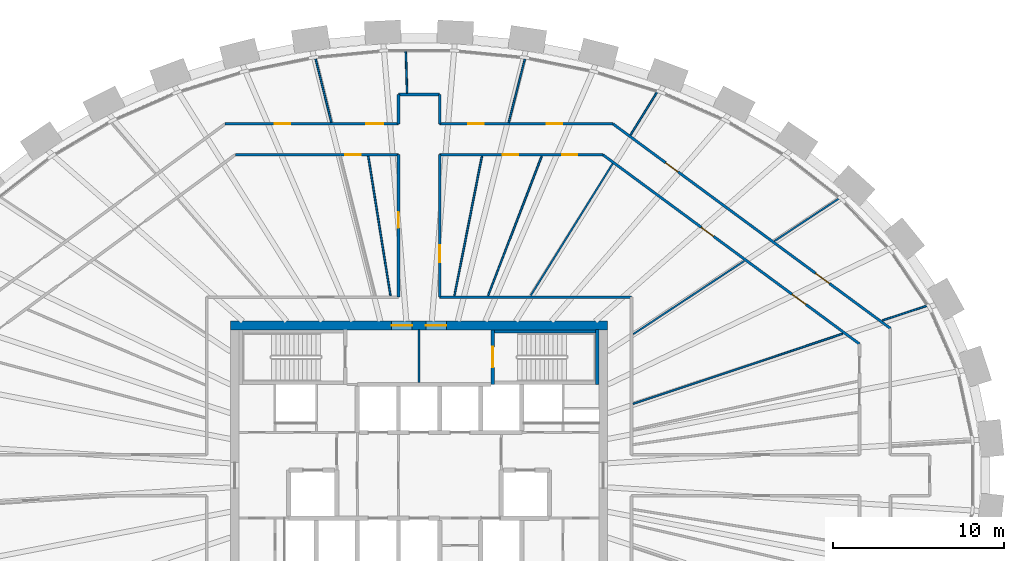
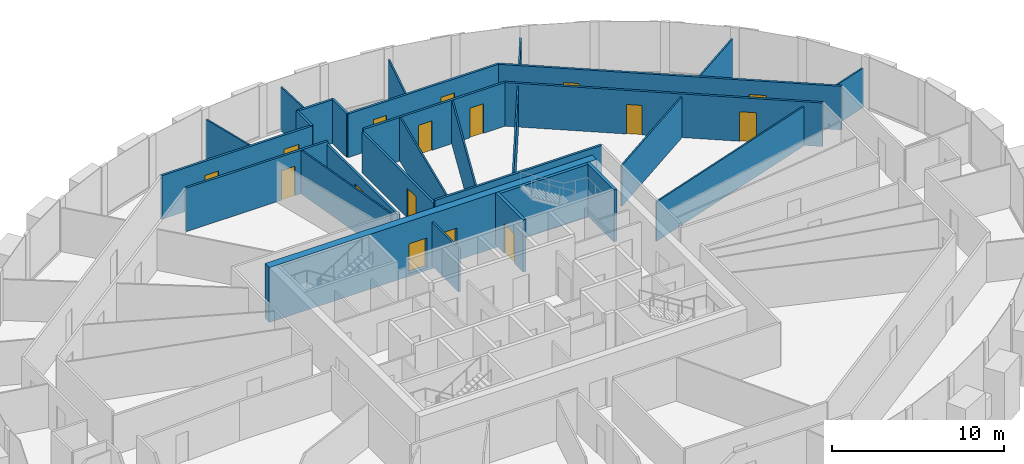
# One storey, part 10 of 12: 29 walls, 16 doors, 16 openings.
"""IFC4 building model written with IfcOpenShell, lengths in metres."""

from ifc_helpers import new_model, si_unit, direction, frame, frame_2d, origin, place, context, subcontext, project, spatial, rectangle, extrude, source, transform, mapped, material, layer, layer_set, type_object, element, fill, save


model = new_model("IFC4")

# Units and contexts
model_context = context("Model", 3, precision=1e-05, world=origin(), true_north=direction((0.0, 1.0)))
body_context = subcontext(model_context, "Body", "Model", "MODEL_VIEW")
ifc_project = project(units=[si_unit("LENGTHUNIT", "METRE"), si_unit("AREAUNIT", "SQUARE_METRE"), si_unit("VOLUMEUNIT", "CUBIC_METRE"), si_unit("PLANEANGLEUNIT", "RADIAN"), si_unit("MASSUNIT", "GRAM", prefix="KILO")], contexts=[model_context])

# Site, building, storey
site_placement = place(None, origin())
site = spatial("IfcSite", under=ifc_project, at=site_placement, CompositionType="ELEMENT")
building_placement = place(site_placement, origin())
building = spatial("IfcBuilding", under=site, at=building_placement, Name="Embergate Tower", CompositionType="ELEMENT")
storey_placement = place(building_placement, frame((0.0, 0.0, 246.10009765625)))
storey = spatial("IfcBuildingStorey", under=building, at=storey_placement, Name="L56", CompositionType="ELEMENT", Elevation=246.10009765625)

# Wall, openings, doors
ifc_material_1 = material(Name="Concrete C50", Category="concrete")
ifc_layer_1 = layer(ifc_material_1, 0.5)
ifc_layer_set_1 = layer_set([ifc_layer_1], Name="Concrete C50")
wall_type_1 = type_object("IfcWallType", Name="Core outer wall C50 500", PredefinedType="SHEAR", material=ifc_layer_set_1)
shared_shape_1 = source(origin(), body_context, "Body", "SweptSolid", [
    extrude(rectangle(XDim=22.0, YDim=0.5, at=frame_2d((11.0, 0.0))), origin(), (0.0, 0.0, 1.0), 3.900146484375),
])
wall_1_placement = place(storey_placement, frame((-11.0, 8.75, -0.2001953125), z_axis=(0.0, 0.0, 1.0), x_axis=(1.0, 0.0, 0.0)))
wall_1 = element("IfcWall", 1, at=wall_1_placement, inside=storey, type_object=wall_type_1, Name="CW-L56-N", PredefinedType="SHEAR", context=body_context, shape_type="MappedRepresentation", body=[
    mapped(shared_shape_1, transform((0.0, 0.0, 0.0))),
])
shared_shape_2 = source(origin(), body_context, "Body", "SweptSolid", [
    extrude(rectangle(XDim=1.199951171875, YDim=2.10009765625, at=frame_2d((0.60009765625, 1.050048828125))), frame((0.0, 0.260009765625, 0.0), z_axis=(0.0, -1.0, 0.0), x_axis=(1.0, 0.0, 0.0)), (0.0, 0.0, 1.0), 0.52001953125),
])
opening_1_placement = place(wall_1_placement, frame((9.39990234375, 0.0, 0.199951171875)))
opening_1 = element("IfcOpeningElement", 2, at=opening_1_placement, cuts=wall_1, Name="Opening IF-1", PredefinedType="OPENING", context=body_context, shape_type="MappedRepresentation", body=[
    mapped(shared_shape_2, transform((0.0, 0.0, 0.0))),
])
opening_2_placement = place(wall_1_placement, frame((11.39990234375, 0.0, 0.199951171875)))
opening_2 = element("IfcOpeningElement", 3, at=opening_2_placement, cuts=wall_1, Name="Opening IF-1", PredefinedType="OPENING", context=body_context, shape_type="MappedRepresentation", body=[
    mapped(shared_shape_2, transform((0.0, 0.0, 0.0))),
])
ifc_material_2 = material(Name="Escape fire door 1200")
door_type_1 = type_object("IfcDoorType", Name="Escape fire door 1200", OperationType="SINGLE_SWING_LEFT", PredefinedType="DOOR", material=ifc_material_2)
shared_shape_3 = source(origin(), body_context, "Body", "SweptSolid", [
    extrude(rectangle(XDim=1.199951171875, YDim=2.10009765625, at=frame_2d((0.60009765625, 1.050048828125))), frame((0.0, 0.02490234375, 0.0), z_axis=(0.0, -1.0, 0.0), x_axis=(1.0, 0.0, 0.0)), (0.0, 0.0, 1.0), 0.050048828125),
])
door_1_placement = place(opening_1_placement, origin())
door_1 = element("IfcDoor", 4, at=door_1_placement, inside=storey, type_object=door_type_1, Name="IF-1 door", OperationType="SINGLE_SWING_LEFT", OverallHeight=2.10009765625, OverallWidth=1.199951171875, PredefinedType="DOOR", context=body_context, shape_type="MappedRepresentation", body=[
    mapped(shared_shape_3, transform((0.0, 0.0, 0.0))),
])
fill(opening_1, door_1)
door_2_placement = place(opening_2_placement, origin())
door_2 = element("IfcDoor", 5, at=door_2_placement, inside=storey, type_object=door_type_1, Name="IF-1 door", OperationType="SINGLE_SWING_RIGHT", OverallHeight=2.10009765625, OverallWidth=1.199951171875, PredefinedType="DOOR", context=body_context, shape_type="MappedRepresentation", body=[
    mapped(shared_shape_3, transform((0.0, 0.0, 0.0))),
])
fill(opening_2, door_2)

# Wall, opening, door
ifc_layer_2 = layer(ifc_material_1, 0.199951171875)
ifc_layer_set_2 = layer_set([ifc_layer_2], Name="Concrete C50")
wall_type_2 = type_object("IfcWallType", Name="Stair enclosure wall reinforced concrete 250", PredefinedType="SHEAR", material=ifc_layer_set_2)
shared_shape_4 = source(origin(), body_context, "Body", "SweptSolid", [
    extrude(rectangle(XDim=3.199951171875, YDim=0.199951171875, at=frame_2d((1.60009765625, 0.0))), origin(), (0.0, 0.0, 1.0), 3.699951171875),
])
wall_2_placement = place(storey_placement, frame((4.300048828125, 8.5, 0.0), z_axis=(0.0, 0.0, 1.0), x_axis=(0.0, -1.0, 0.0)))
wall_2 = element("IfcWall", 6, at=wall_2_placement, inside=storey, type_object=wall_type_2, Name="SE-1 wall", PredefinedType="SHEAR", context=body_context, shape_type="MappedRepresentation", body=[
    mapped(shared_shape_4, transform((0.0, 0.0, 0.0))),
])
shared_shape_5 = source(origin(), body_context, "Body", "SweptSolid", [
    extrude(rectangle(XDim=1.199951171875, YDim=2.10009765625, at=frame_2d((0.60009765625, 1.050048828125))), frame((0.0, 0.10986328125, 0.0), z_axis=(0.0, -1.0, 0.0), x_axis=(1.0, 0.0, 0.0)), (0.0, 0.0, 1.0), 0.219970703125),
])
opening_3_placement = place(wall_2_placement, frame((1.0, 0.0, 0.0)))
opening_3 = element("IfcOpeningElement", 7, at=opening_3_placement, cuts=wall_2, Name="Opening IF-2", PredefinedType="OPENING", context=body_context, shape_type="MappedRepresentation", body=[
    mapped(shared_shape_5, transform((0.0, 0.0, 0.0))),
])
ifc_material_3 = material(Name="Stair enclosure door 1200")
door_type_2 = type_object("IfcDoorType", Name="Stair enclosure door 1200", OperationType="SINGLE_SWING_LEFT", PredefinedType="DOOR", material=ifc_material_3)
door_3_placement = place(opening_3_placement, origin())
door_3 = element("IfcDoor", 8, at=door_3_placement, inside=storey, type_object=door_type_2, Name="IF-2 door", OperationType="SINGLE_SWING_RIGHT", OverallHeight=2.10009765625, OverallWidth=1.199951171875, PredefinedType="DOOR", context=body_context, shape_type="MappedRepresentation", body=[
    mapped(shared_shape_3, transform((0.0, 0.0, 0.0))),
])
fill(opening_3, door_3)

# Walls
wall_3_placement = place(storey_placement, frame((10.39990234375, 5.300048828125, 0.0), z_axis=(0.0, 0.0, 1.0), x_axis=(0.0, 1.0, 0.0)))
element("IfcWall", 9, at=wall_3_placement, inside=storey, type_object=wall_type_2, Name="SE-1 wall", PredefinedType="SHEAR", context=body_context, shape_type="MappedRepresentation", body=[
    mapped(shared_shape_4, transform((0.0, 0.0, 0.0))),
])
ifc_material_4 = material(Name="Corridor wall dry-lined 150")
ifc_layer_3 = layer(ifc_material_4, 0.14990234375)
ifc_layer_set_3 = layer_set([ifc_layer_3], Name="Corridor wall dry-lined 150")
wall_type_3 = type_object("IfcWallType", Name="Corridor wall dry-lined 150", PredefinedType="PARTITIONING", material=ifc_layer_set_3)
shared_shape_6 = source(origin(), body_context, "Body", "SweptSolid", [
    extrude(rectangle(XDim=2.39990234375, YDim=0.14990234375, at=frame_2d((1.199951171875, 0.0))), origin(), (0.0, 0.0, 1.0), 3.099853515625),
])
wall_4_placement = place(storey_placement, frame((-1.199951171875, 22.23388671875, 0.0), z_axis=(0.0, 0.0, 1.0), x_axis=(1.0, 0.0, 0.0)))
element("IfcWall", 10, at=wall_4_placement, inside=storey, type_object=wall_type_3, Name="IP-2 wall", PredefinedType="PARTITIONING", context=body_context, shape_type="MappedRepresentation", body=[
    mapped(shared_shape_6, transform((0.0, 0.0, 0.0))),
])

# Wall, openings, doors
ifc_material_5 = material(Name="Corridor wall dry-lined 150 wet")
ifc_layer_4 = layer(ifc_material_5, 0.14990234375)
ifc_layer_set_4 = layer_set([ifc_layer_4], Name="Corridor wall dry-lined 150 wet")
wall_type_4 = type_object("IfcWallType", Name="Corridor wall dry-lined 150 wet", PredefinedType="PLUMBINGWALL", material=ifc_layer_set_4)
shared_shape_7 = source(origin(), body_context, "Body", "SweptSolid", [
    extrude(rectangle(XDim=20.116455078125, YDim=0.14990234375, at=frame_2d((10.05810546875, 0.0))), origin(), (0.0, 0.0, 1.0), 3.099853515625),
])
wall_5_placement = place(storey_placement, frame((11.319091796875, 20.51806640625, 0.0), z_axis=(0.0, 0.0, 1.0), x_axis=(0.804910001979, -0.593396906559, 0.0)))
wall_5 = element("IfcWall", 11, at=wall_5_placement, inside=storey, type_object=wall_type_4, Name="IP-2 wall", PredefinedType="PLUMBINGWALL", context=body_context, shape_type="MappedRepresentation", body=[
    mapped(shared_shape_7, transform((0.0, 0.0, 0.0))),
])
shared_shape_8 = source(origin(), body_context, "Body", "SweptSolid", [
    extrude(rectangle(XDim=1.0, YDim=2.10009765625, at=frame_2d((0.5, 1.050048828125))), frame((0.0, 0.0849609375, 0.0), z_axis=(0.0, -1.0, 0.0), x_axis=(1.0, 0.0, 0.0)), (0.0, 0.0, 1.0), 0.169921875),
])
opening_4_placement = place(wall_5_placement, frame((14.701904296875, 0.0, 0.0)))
opening_4 = element("IfcOpeningElement", 12, at=opening_4_placement, cuts=wall_5, Name="Opening ID-2", PredefinedType="OPENING", context=body_context, shape_type="MappedRepresentation", body=[
    mapped(shared_shape_8, transform((0.0, 0.0, 0.0))),
])
shared_shape_9 = source(origin(), body_context, "Body", "SweptSolid", [
    extrude(rectangle(XDim=0.89990234375, YDim=2.10009765625, at=frame_2d((0.449951171875, 1.050048828125))), frame((0.0, 0.0849609375, 0.0), z_axis=(0.0, -1.0, 0.0), x_axis=(1.0, 0.0, 0.0)), (0.0, 0.0, 1.0), 0.169921875),
])
opening_5_placement = place(wall_5_placement, frame((3.82666015625, 0.0, 0.0)))
opening_5 = element("IfcOpeningElement", 13, at=opening_5_placement, cuts=wall_5, Name="Opening IF-1c", PredefinedType="OPENING", context=body_context, shape_type="MappedRepresentation", body=[
    mapped(shared_shape_9, transform((0.0, 0.0, 0.0))),
])
ifc_material_6 = material(Name="Escape fire door 900")
door_type_3 = type_object("IfcDoorType", Name="Escape fire door 900", OperationType="SINGLE_SWING_LEFT", PredefinedType="DOOR", material=ifc_material_6)
shared_shape_10 = source(origin(), body_context, "Body", "SweptSolid", [
    extrude(rectangle(XDim=0.89990234375, YDim=2.10009765625, at=frame_2d((0.449951171875, 1.050048828125))), frame((0.0, 0.02490234375, 0.0), z_axis=(0.0, -1.0, 0.0), x_axis=(1.0, 0.0, 0.0)), (0.0, 0.0, 1.0), 0.050048828125),
])
door_4_placement = place(opening_5_placement, origin())
door_4 = element("IfcDoor", 14, at=door_4_placement, inside=storey, type_object=door_type_3, Name="IF-1 door", OperationType="SINGLE_SWING_RIGHT", OverallHeight=2.10009765625, OverallWidth=0.89990234375, PredefinedType="DOOR", context=body_context, shape_type="MappedRepresentation", body=[
    mapped(shared_shape_10, transform((0.0, 0.0, 0.0))),
])
fill(opening_5, door_4)
ifc_material_7 = material(Name="Interior door 1000")
door_type_4 = type_object("IfcDoorType", Name="Interior door 1000", OperationType="SINGLE_SWING_LEFT", PredefinedType="DOOR", material=ifc_material_7)
shared_shape_11 = source(origin(), body_context, "Body", "SweptSolid", [
    extrude(rectangle(XDim=1.0, YDim=2.10009765625, at=frame_2d((0.5, 1.050048828125))), frame((0.0, 0.02490234375, 0.0), z_axis=(0.0, -1.0, 0.0), x_axis=(1.0, 0.0, 0.0)), (0.0, 0.0, 1.0), 0.050048828125),
])
door_5_placement = place(opening_4_placement, origin())
door_5 = element("IfcDoor", 15, at=door_5_placement, inside=storey, type_object=door_type_4, Name="ID-2 door", OperationType="SINGLE_SWING_RIGHT", OverallHeight=2.10009765625, OverallWidth=1.0, PredefinedType="DOOR", context=body_context, shape_type="MappedRepresentation", body=[
    mapped(shared_shape_11, transform((0.0, 0.0, 0.0))),
])
fill(opening_4, door_5)

shared_shape_12 = source(origin(), body_context, "Body", "SweptSolid", [
    extrude(rectangle(XDim=18.615966796875, YDim=0.14990234375, at=frame_2d((9.30810546875, 0.0))), origin(), (0.0, 0.0, 1.0), 3.099853515625),
])
wall_6_placement = place(storey_placement, frame((10.72705078125, 18.718017578125, 0.0), z_axis=(0.0, 0.0, 1.0), x_axis=(0.804892640185, -0.593420456149, 0.0)))
wall_6 = element("IfcWall", 16, at=wall_6_placement, inside=storey, type_object=wall_type_4, Name="IP-2 wall", PredefinedType="PLUMBINGWALL", context=body_context, shape_type="MappedRepresentation", body=[
    mapped(shared_shape_12, transform((0.0, 0.0, 0.0))),
])
opening_6_placement = place(wall_6_placement, frame((13.73486328125, 0.0, 0.0)))
opening_6 = element("IfcOpeningElement", 17, at=opening_6_placement, cuts=wall_6, Name="Opening ID-2", PredefinedType="OPENING", context=body_context, shape_type="MappedRepresentation", body=[
    mapped(shared_shape_8, transform((0.0, 0.0, 0.0))),
])
opening_7_placement = place(wall_6_placement, frame((7.1396484375, 0.0, 0.0)))
opening_7 = element("IfcOpeningElement", 18, at=opening_7_placement, cuts=wall_6, Name="Opening IF-1c", PredefinedType="OPENING", context=body_context, shape_type="MappedRepresentation", body=[
    mapped(shared_shape_9, transform((0.0, 0.0, 0.0))),
])
door_6_placement = place(opening_7_placement, origin())
door_6 = element("IfcDoor", 19, at=door_6_placement, inside=storey, type_object=door_type_3, Name="IF-1 door", OperationType="SINGLE_SWING_LEFT", OverallHeight=2.10009765625, OverallWidth=0.89990234375, PredefinedType="DOOR", context=body_context, shape_type="MappedRepresentation", body=[
    mapped(shared_shape_10, transform((0.0, 0.0, 0.0))),
])
fill(opening_7, door_6)
door_7_placement = place(opening_6_placement, origin())
door_7 = element("IfcDoor", 20, at=door_7_placement, inside=storey, type_object=door_type_4, Name="ID-2 door", OperationType="SINGLE_SWING_LEFT", OverallHeight=2.10009765625, OverallWidth=1.0, PredefinedType="DOOR", context=body_context, shape_type="MappedRepresentation", body=[
    mapped(shared_shape_11, transform((0.0, 0.0, 0.0))),
])
fill(opening_6, door_7)

# Wall
shared_shape_13 = source(origin(), body_context, "Body", "SweptSolid", [
    extrude(rectangle(XDim=11.199951171875, YDim=0.14990234375, at=frame_2d((5.60009765625, 0.0))), origin(), (0.0, 0.0, 1.0), 3.099853515625),
])
wall_7_placement = place(storey_placement, frame((12.39990234375, 10.39990234375, 0.0), z_axis=(0.0, 0.0, 1.0), x_axis=(-1.0, 0.0, 0.0)))
element("IfcWall", 21, at=wall_7_placement, inside=storey, type_object=wall_type_3, Name="IP-2 wall", PredefinedType="PARTITIONING", context=body_context, shape_type="MappedRepresentation", body=[
    mapped(shared_shape_13, transform((0.0, 0.0, 0.0))),
])

# Wall, openings, doors
shared_shape_14 = source(origin(), body_context, "Body", "SweptSolid", [
    extrude(rectangle(XDim=10.119140625, YDim=0.14990234375, at=frame_2d((5.0595703125, 0.0))), origin(), (0.0, 0.0, 1.0), 3.099853515625),
])
wall_8_placement = place(storey_placement, frame((1.199951171875, 20.51806640625, 0.0), z_axis=(0.0, 0.0, 1.0), x_axis=(1.0, 0.0, 0.0)))
wall_8 = element("IfcWall", 22, at=wall_8_placement, inside=storey, type_object=wall_type_3, Name="IP-2 wall", PredefinedType="PARTITIONING", context=body_context, shape_type="MappedRepresentation", body=[
    mapped(shared_shape_14, transform((0.0, 0.0, 0.0))),
])
opening_8_placement = place(wall_8_placement, frame((6.248046875, 0.0, 0.0)))
opening_8 = element("IfcOpeningElement", 23, at=opening_8_placement, cuts=wall_8, Name="Opening IF-1c", PredefinedType="OPENING", context=body_context, shape_type="MappedRepresentation", body=[
    mapped(shared_shape_9, transform((0.0, 0.0, 0.0))),
])
opening_9_placement = place(wall_8_placement, frame((1.68310546875, 0.0, 0.0)))
opening_9 = element("IfcOpeningElement", 24, at=opening_9_placement, cuts=wall_8, Name="Opening IF-1c", PredefinedType="OPENING", context=body_context, shape_type="MappedRepresentation", body=[
    mapped(shared_shape_9, transform((0.0, 0.0, 0.0))),
])
door_8_placement = place(opening_8_placement, origin())
door_8 = element("IfcDoor", 25, at=door_8_placement, inside=storey, type_object=door_type_3, Name="IF-1 door", OperationType="SINGLE_SWING_RIGHT", OverallHeight=2.10009765625, OverallWidth=0.89990234375, PredefinedType="DOOR", context=body_context, shape_type="MappedRepresentation", body=[
    mapped(shared_shape_10, transform((0.0, 0.0, 0.0))),
])
fill(opening_8, door_8)
door_9_placement = place(opening_9_placement, origin())
door_9 = element("IfcDoor", 26, at=door_9_placement, inside=storey, type_object=door_type_3, Name="IF-1 door", OperationType="SINGLE_SWING_RIGHT", OverallHeight=2.10009765625, OverallWidth=0.89990234375, PredefinedType="DOOR", context=body_context, shape_type="MappedRepresentation", body=[
    mapped(shared_shape_10, transform((0.0, 0.0, 0.0))),
])
fill(opening_9, door_9)

wall_9_placement = place(storey_placement, frame((-11.319091796875, 20.51806640625, 0.0), z_axis=(0.0, 0.0, 1.0), x_axis=(1.0, 0.0, 0.0)))
wall_9 = element("IfcWall", 27, at=wall_9_placement, inside=storey, type_object=wall_type_3, Name="IP-2 wall", PredefinedType="PARTITIONING", context=body_context, shape_type="MappedRepresentation", body=[
    mapped(shared_shape_14, transform((0.0, 0.0, 0.0))),
])
opening_10_placement = place(wall_9_placement, frame((8.2216796875, 0.0, 0.0)))
opening_10 = element("IfcOpeningElement", 28, at=opening_10_placement, cuts=wall_9, Name="Opening ID-2", PredefinedType="OPENING", context=body_context, shape_type="MappedRepresentation", body=[
    mapped(shared_shape_8, transform((0.0, 0.0, 0.0))),
])
opening_11_placement = place(wall_9_placement, frame((2.897705078125, 0.0, 0.0)))
opening_11 = element("IfcOpeningElement", 29, at=opening_11_placement, cuts=wall_9, Name="Opening IF-1c", PredefinedType="OPENING", context=body_context, shape_type="MappedRepresentation", body=[
    mapped(shared_shape_9, transform((0.0, 0.0, 0.0))),
])
door_10_placement = place(opening_11_placement, origin())
door_10 = element("IfcDoor", 30, at=door_10_placement, inside=storey, type_object=door_type_3, Name="IF-1 door", OperationType="SINGLE_SWING_RIGHT", OverallHeight=2.10009765625, OverallWidth=0.89990234375, PredefinedType="DOOR", context=body_context, shape_type="MappedRepresentation", body=[
    mapped(shared_shape_10, transform((0.0, 0.0, 0.0))),
])
fill(opening_11, door_10)
door_11_placement = place(opening_10_placement, origin())
door_11 = element("IfcDoor", 31, at=door_11_placement, inside=storey, type_object=door_type_4, Name="ID-2 door", OperationType="SINGLE_SWING_RIGHT", OverallHeight=2.10009765625, OverallWidth=1.0, PredefinedType="DOOR", context=body_context, shape_type="MappedRepresentation", body=[
    mapped(shared_shape_11, transform((0.0, 0.0, 0.0))),
])
fill(opening_10, door_11)

# Walls
shared_shape_15 = source(origin(), body_context, "Body", "SweptSolid", [
    extrude(rectangle(XDim=1.7158203125, YDim=0.14990234375, at=frame_2d((0.85791015625, 0.0))), origin(), (0.0, 0.0, 1.0), 3.099853515625),
])
for number, where, z_axis, x_axis, name in (
    (32, (1.199951171875, 22.23388671875, 0.0), (0.0, 0.0, 1.0), (0.0, -1.0, 0.0), "IP-2 wall"),
    (33, (-1.199951171875, 20.51806640625, 0.0), (0.0, 0.0, 1.0), (0.0, 1.0, 0.0), "IP-2 wall"),
):
    element("IfcWall", number, at=place(storey_placement, frame(where, z_axis=z_axis, x_axis=x_axis)), inside=storey, type_object=wall_type_3, Name=name, PredefinedType="PARTITIONING", context=body_context, shape_type="MappedRepresentation", body=[
        mapped(shared_shape_15, transform((0.0, 0.0, 0.0))),
    ])

# Wall, opening, door
shared_shape_16 = source(origin(), body_context, "Body", "SweptSolid", [
    extrude(rectangle(XDim=8.318115234375, YDim=0.14990234375, at=frame_2d((4.1591796875, 0.0))), origin(), (0.0, 0.0, 1.0), 2.89990234375),
])
wall_10_placement = place(storey_placement, frame((-1.199951171875, 10.39990234375, 0.0), z_axis=(0.0, 0.0, 1.0), x_axis=(0.0, 1.0, 0.0)))
wall_10 = element("IfcWall", 34, at=wall_10_placement, inside=storey, type_object=wall_type_3, Name="IP-2 wall", PredefinedType="PARTITIONING", context=body_context, shape_type="MappedRepresentation", body=[
    mapped(shared_shape_16, transform((0.0, 0.0, 0.0))),
])
opening_12_placement = place(wall_10_placement, frame((4.050048828125, 0.0, 0.0)))
opening_12 = element("IfcOpeningElement", 35, at=opening_12_placement, cuts=wall_10, Name="Opening IF-1c", PredefinedType="OPENING", context=body_context, shape_type="MappedRepresentation", body=[
    mapped(shared_shape_9, transform((0.0, 0.0, 0.0))),
])
door_12_placement = place(opening_12_placement, origin())
door_12 = element("IfcDoor", 36, at=door_12_placement, inside=storey, type_object=door_type_3, Name="IF-1 door", OperationType="SINGLE_SWING_RIGHT", OverallHeight=2.10009765625, OverallWidth=0.89990234375, PredefinedType="DOOR", context=body_context, shape_type="MappedRepresentation", body=[
    mapped(shared_shape_10, transform((0.0, 0.0, 0.0))),
])
fill(opening_12, door_12)

wall_11_placement = place(storey_placement, frame((1.199951171875, 18.718017578125, 0.0), z_axis=(0.0, 0.0, 1.0), x_axis=(0.0, -1.0, 0.0)))
wall_11 = element("IfcWall", 37, at=wall_11_placement, inside=storey, type_object=wall_type_3, Name="IP-2 wall", PredefinedType="PARTITIONING", context=body_context, shape_type="MappedRepresentation", body=[
    mapped(shared_shape_16, transform((0.0, 0.0, 0.0))),
])
opening_13_placement = place(wall_11_placement, frame((5.270751953125, 0.0, 0.0)))
opening_13 = element("IfcOpeningElement", 38, at=opening_13_placement, cuts=wall_11, Name="Opening ID-2", PredefinedType="OPENING", context=body_context, shape_type="MappedRepresentation", body=[
    mapped(shared_shape_8, transform((0.0, 0.0, 0.0))),
])
door_13_placement = place(opening_13_placement, origin())
door_13 = element("IfcDoor", 39, at=door_13_placement, inside=storey, type_object=door_type_4, Name="ID-2 door", OperationType="SINGLE_SWING_LEFT", OverallHeight=2.10009765625, OverallWidth=1.0, PredefinedType="DOOR", context=body_context, shape_type="MappedRepresentation", body=[
    mapped(shared_shape_11, transform((0.0, 0.0, 0.0))),
])
fill(opening_13, door_13)

shared_shape_17 = source(origin(), body_context, "Body", "SweptSolid", [
    extrude(rectangle(XDim=9.527099609375, YDim=0.14990234375, at=frame_2d((4.763671875, 0.0))), origin(), (0.0, 0.0, 1.0), 3.099853515625),
])
wall_12_placement = place(storey_placement, frame((-1.199951171875, 18.718017578125, 0.0), z_axis=(0.0, 0.0, 1.0), x_axis=(-1.0, 0.0, 0.0)))
wall_12 = element("IfcWall", 40, at=wall_12_placement, inside=storey, type_object=wall_type_3, Name="IP-2 wall", PredefinedType="PARTITIONING", context=body_context, shape_type="MappedRepresentation", body=[
    mapped(shared_shape_17, transform((0.0, 0.0, 0.0))),
])
opening_14_placement = place(wall_12_placement, frame((2.2060546875, 0.0, 0.0)))
opening_14 = element("IfcOpeningElement", 41, at=opening_14_placement, cuts=wall_12, Name="Opening IF-1c", PredefinedType="OPENING", context=body_context, shape_type="MappedRepresentation", body=[
    mapped(shared_shape_9, transform((0.0, 0.0, 0.0))),
])
door_14_placement = place(opening_14_placement, origin())
door_14 = element("IfcDoor", 42, at=door_14_placement, inside=storey, type_object=door_type_3, Name="IF-1 door", OperationType="SINGLE_SWING_LEFT", OverallHeight=2.10009765625, OverallWidth=0.89990234375, PredefinedType="DOOR", context=body_context, shape_type="MappedRepresentation", body=[
    mapped(shared_shape_10, transform((0.0, 0.0, 0.0))),
])
fill(opening_14, door_14)

# Wall, openings, doors
wall_13_placement = place(storey_placement, frame((1.199951171875, 18.718017578125, 0.0), z_axis=(0.0, 0.0, 1.0), x_axis=(1.0, 0.0, 0.0)))
wall_13 = element("IfcWall", 43, at=wall_13_placement, inside=storey, type_object=wall_type_3, Name="IP-2 wall", PredefinedType="PARTITIONING", context=body_context, shape_type="MappedRepresentation", body=[
    mapped(shared_shape_17, transform((0.0, 0.0, 0.0))),
])
opening_15_placement = place(wall_13_placement, frame((7.14501953125, 0.0, 0.0)))
opening_15 = element("IfcOpeningElement", 44, at=opening_15_placement, cuts=wall_13, Name="Opening IF-1c", PredefinedType="OPENING", context=body_context, shape_type="MappedRepresentation", body=[
    mapped(shared_shape_9, transform((0.0, 0.0, 0.0))),
])
opening_16_placement = place(wall_13_placement, frame((3.69091796875, 0.0, 0.0)))
opening_16 = element("IfcOpeningElement", 45, at=opening_16_placement, cuts=wall_13, Name="Opening IF-1c", PredefinedType="OPENING", context=body_context, shape_type="MappedRepresentation", body=[
    mapped(shared_shape_9, transform((0.0, 0.0, 0.0))),
])
door_15_placement = place(opening_15_placement, origin())
door_15 = element("IfcDoor", 46, at=door_15_placement, inside=storey, type_object=door_type_3, Name="IF-1 door", OperationType="SINGLE_SWING_LEFT", OverallHeight=2.10009765625, OverallWidth=0.89990234375, PredefinedType="DOOR", context=body_context, shape_type="MappedRepresentation", body=[
    mapped(shared_shape_10, transform((0.0, 0.0, 0.0))),
])
fill(opening_15, door_15)
door_16_placement = place(opening_16_placement, origin())
door_16 = element("IfcDoor", 47, at=door_16_placement, inside=storey, type_object=door_type_3, Name="IF-1 door", OperationType="SINGLE_SWING_LEFT", OverallHeight=2.10009765625, OverallWidth=0.89990234375, PredefinedType="DOOR", context=body_context, shape_type="MappedRepresentation", body=[
    mapped(shared_shape_10, transform((0.0, 0.0, 0.0))),
])
fill(opening_16, door_16)

# Walls
ifc_material_8 = material(Name="Partition dry-lined 100 wet")
ifc_layer_5 = layer(ifc_material_8, 0.10009765625)
ifc_layer_set_5 = layer_set([ifc_layer_5], Name="Partition dry-lined 100 wet")
wall_type_5 = type_object("IfcWallType", Name="Partition dry-lined 100 wet", PredefinedType="PLUMBINGWALL", material=ifc_layer_set_5)
shared_shape_18 = source(origin(), body_context, "Body", "SweptSolid", [
    extrude(rectangle(XDim=2.779296875, YDim=0.10009765625, at=frame_2d((1.3896484375, 0.0))), origin(), (0.0, 0.0, 1.0), 2.7998046875),
])
wall_14_placement = place(storey_placement, frame((27.06005859375, 9.0419921875, 0.0), z_axis=(0.0, 0.0, 1.0), x_axis=(0.9484194456, 0.317018225356, 0.0)))
element("IfcWall", 48, at=wall_14_placement, inside=storey, type_object=wall_type_5, Name="IP-1 wall", PredefinedType="PLUMBINGWALL", context=body_context, shape_type="MappedRepresentation", body=[
    mapped(shared_shape_18, transform((0.0, 0.0, 0.0))),
])
shared_shape_19 = source(origin(), body_context, "Body", "SweptSolid", [
    extrude(rectangle(XDim=12.906005859375, YDim=0.10009765625, at=frame_2d((6.453125, 0.0))), origin(), (0.0, 0.0, 1.0), 2.7998046875),
])
wall_15_placement = place(storey_placement, frame((12.490966796875, 4.174072265625, 0.0), z_axis=(0.0, 0.0, 1.0), x_axis=(0.948461740931, 0.316891662859, 0.0)))
element("IfcWall", 49, at=wall_15_placement, inside=storey, type_object=wall_type_5, Name="IP-1 wall", PredefinedType="PLUMBINGWALL", context=body_context, shape_type="MappedRepresentation", body=[
    mapped(shared_shape_19, transform((0.0, 0.0, 0.0))),
])
ifc_material_9 = material(Name="Partition dry-lined 100")
ifc_layer_6 = layer(ifc_material_9, 0.10009765625)
ifc_layer_set_6 = layer_set([ifc_layer_6], Name="Partition dry-lined 100")
wall_type_6 = type_object("IfcWallType", Name="Partition dry-lined 100", PredefinedType="PARTITIONING", material=ifc_layer_set_6)
shared_shape_20 = source(origin(), body_context, "Body", "SweptSolid", [
    extrude(rectangle(XDim=4.563720703125, YDim=0.10009765625, at=frame_2d((2.28173828125, 0.0))), origin(), (0.0, 0.0, 1.0), 2.89990234375),
])
wall_16_placement = place(storey_placement, frame((20.75, 13.678955078125, 0.0), z_axis=(0.0, 0.0, 1.0), x_axis=(0.834878865051, 0.550433720525, 0.0)))
element("IfcWall", 50, at=wall_16_placement, inside=storey, type_object=wall_type_6, Name="IP-1 wall", PredefinedType="PARTITIONING", context=body_context, shape_type="MappedRepresentation", body=[
    mapped(shared_shape_20, transform((0.0, 0.0, 0.0))),
])
shared_shape_21 = source(origin(), body_context, "Body", "SweptSolid", [
    extrude(rectangle(XDim=3.010498046875, YDim=0.10009765625, at=frame_2d((1.50537109375, 0.0))), origin(), (0.0, 0.0, 1.0), 2.89990234375),
])
wall_17_placement = place(storey_placement, frame((12.3349609375, 19.861083984375, 0.0), z_axis=(0.0, 0.0, 1.0), x_axis=(0.52786139666, 0.849330528072, 0.0)))
element("IfcWall", 51, at=wall_17_placement, inside=storey, type_object=wall_type_6, Name="IP-1 wall", PredefinedType="PARTITIONING", context=body_context, shape_type="MappedRepresentation", body=[
    mapped(shared_shape_21, transform((0.0, 0.0, 0.0))),
])
shared_shape_22 = source(origin(), body_context, "Body", "SweptSolid", [
    extrude(rectangle(XDim=7.7646484375, YDim=0.10009765625, at=frame_2d((3.88232421875, 0.0))), origin(), (0.0, 0.0, 1.0), 2.89990234375),
])
wall_18_placement = place(storey_placement, frame((12.501953125, 8.241943359375, 0.0), z_axis=(0.0, 0.0, 1.0), x_axis=(0.834960503085, 0.550309874788, 0.0)))
element("IfcWall", 52, at=wall_18_placement, inside=storey, type_object=wall_type_6, Name="IP-1 wall", PredefinedType="PARTITIONING", context=body_context, shape_type="MappedRepresentation", body=[
    mapped(shared_shape_22, transform((0.0, 0.0, 0.0))),
])
shared_shape_23 = source(origin(), body_context, "Body", "SweptSolid", [
    extrude(rectangle(XDim=9.063232421875, YDim=0.10009765625, at=frame_2d((4.53173828125, 0.0))), origin(), (0.0, 0.0, 1.0), 2.89990234375),
])
wall_19_placement = place(storey_placement, frame((6.52197265625, 10.5009765625, 0.0), z_axis=(0.0, 0.0, 1.0), x_axis=(0.52762636224, 0.849476557575, 0.0)))
element("IfcWall", 53, at=wall_19_placement, inside=storey, type_object=wall_type_6, Name="IP-1 wall", PredefinedType="PARTITIONING", context=body_context, shape_type="MappedRepresentation", body=[
    mapped(shared_shape_23, transform((0.0, 0.0, 0.0))),
])
shared_shape_24 = source(origin(), body_context, "Body", "SweptSolid", [
    extrude(rectangle(XDim=3.889892578125, YDim=0.10009765625, at=frame_2d((1.94482421875, 0.0))), origin(), (0.0, 0.0, 1.0), 2.89990234375),
])
wall_20_placement = place(storey_placement, frame((5.237060546875, 20.60498046875, 0.0), z_axis=(0.0, 0.0, 1.0), x_axis=(0.246284867829, 0.969197484457, 0.0)))
element("IfcWall", 54, at=wall_20_placement, inside=storey, type_object=wall_type_6, Name="IP-1 wall", PredefinedType="PARTITIONING", context=body_context, shape_type="MappedRepresentation", body=[
    mapped(shared_shape_24, transform((0.0, 0.0, 0.0))),
])
shared_shape_25 = source(origin(), body_context, "Body", "SweptSolid", [
    extrude(rectangle(XDim=2.51708984375, YDim=0.10009765625, at=frame_2d((1.258544921875, 0.0))), origin(), (0.0, 0.0, 1.0), 3.099853515625),
])
wall_21_placement = place(storey_placement, frame((-0.697998046875, 22.30908203125, 0.0), z_axis=(0.0, 0.0, 1.0), x_axis=(-0.030941025384, 0.999521211855, 0.0)))
element("IfcWall", 55, at=wall_21_placement, inside=storey, type_object=wall_type_6, Name="IP-1 wall", PredefinedType="PARTITIONING", context=body_context, shape_type="MappedRepresentation", body=[
    mapped(shared_shape_25, transform((0.0, 0.0, 0.0))),
])
shared_shape_26 = source(origin(), body_context, "Body", "SweptSolid", [
    extrude(rectangle(XDim=3.905029296875, YDim=0.10009765625, at=frame_2d((1.95263671875, 0.0))), origin(), (0.0, 0.0, 1.0), 2.89990234375),
])
wall_22_placement = place(storey_placement, frame((-5.116943359375, 20.60498046875, 0.0), z_axis=(0.0, 0.0, 1.0), x_axis=(-0.241005480194, 0.970523754741, 0.0)))
element("IfcWall", 56, at=wall_22_placement, inside=storey, type_object=wall_type_6, Name="IP-1 wall", PredefinedType="PARTITIONING", context=body_context, shape_type="MappedRepresentation", body=[
    mapped(shared_shape_26, transform((0.0, 0.0, 0.0))),
])
shared_shape_27 = source(origin(), body_context, "Body", "SweptSolid", [
    extrude(rectangle(XDim=8.2548828125, YDim=0.10009765625, at=frame_2d((4.12744140625, 0.0))), origin(), (0.0, 0.0, 1.0), 3.099853515625),
])
wall_23_placement = place(storey_placement, frame((-1.66796875, 10.48291015625, 0.0), z_axis=(0.0, 0.0, 1.0), x_axis=(-0.157253374505, 0.98755829003, 0.0)))
element("IfcWall", 57, at=wall_23_placement, inside=storey, type_object=wall_type_6, Name="IP-1 wall", PredefinedType="PARTITIONING", context=body_context, shape_type="MappedRepresentation", body=[
    mapped(shared_shape_27, transform((0.0, 0.0, 0.0))),
])
shared_shape_28 = source(origin(), body_context, "Body", "SweptSolid", [
    extrude(rectangle(XDim=8.7119140625, YDim=0.10009765625, at=frame_2d((4.35595703125, 0.0))), origin(), (0.0, 0.0, 1.0), 3.099853515625),
])
wall_24_placement = place(storey_placement, frame((4.032958984375, 10.492919921875, 0.0), z_axis=(0.0, 0.0, 1.0), x_axis=(0.358706769307, 0.933450295224, 0.0)))
element("IfcWall", 58, at=wall_24_placement, inside=storey, type_object=wall_type_6, Name="IP-1 wall", PredefinedType="PARTITIONING", context=body_context, shape_type="MappedRepresentation", body=[
    mapped(shared_shape_28, transform((0.0, 0.0, 0.0))),
])
shared_shape_29 = source(origin(), body_context, "Body", "SweptSolid", [
    extrude(rectangle(XDim=8.3046875, YDim=0.10009765625, at=frame_2d((4.15234375, 0.0))), origin(), (0.0, 0.0, 1.0), 3.099853515625),
])
wall_25_placement = place(storey_placement, frame((2.06591796875, 10.485107421875, 0.0), z_axis=(0.0, 0.0, 1.0), x_axis=(0.193407407705, 0.981118532413, 0.0)))
element("IfcWall", 59, at=wall_25_placement, inside=storey, type_object=wall_type_6, Name="IP-1 wall", PredefinedType="PARTITIONING", context=body_context, shape_type="MappedRepresentation", body=[
    mapped(shared_shape_29, transform((0.0, 0.0, 0.0))),
])
ifc_material_10 = material(Name="Core partition blockwork 120")
ifc_layer_7 = layer(ifc_material_10, 0.1201171875)
ifc_layer_set_7 = layer_set([ifc_layer_7], Name="Core partition blockwork 120")
wall_type_7 = type_object("IfcWallType", Name="Core partition blockwork 120", PredefinedType="PARTITIONING", material=ifc_layer_set_7)
shared_shape_30 = source(origin(), body_context, "Body", "SweptSolid", [
    extrude(rectangle(XDim=3.074951171875, YDim=0.1201171875, at=frame_2d((1.53759765625, 0.0))), origin(), (0.0, 0.0, 1.0), 3.099853515625),
])
wall_26_placement = place(storey_placement, frame((0.0, 5.425048828125, 0.0), z_axis=(0.0, 0.0, 1.0), x_axis=(0.0, 1.0, 0.0)))
element("IfcWall", 60, at=wall_26_placement, inside=storey, type_object=wall_type_7, Name="IP-3 wall", PredefinedType="PARTITIONING", context=body_context, shape_type="MappedRepresentation", body=[
    mapped(shared_shape_30, transform((0.0, 0.0, 0.0))),
])
shared_shape_31 = source(origin(), body_context, "Body", "SweptSolid", [
    extrude(rectangle(XDim=6.298095703125, YDim=0.199951171875, at=frame_2d((3.14892578125, 0.0))), origin(), (0.0, 0.0, 1.0), 3.699951171875),
])
wall_27_placement = place(storey_placement, frame((10.5, 8.39990234375, 0.0), z_axis=(0.0, 0.0, 1.0), x_axis=(-1.0, 0.0, 0.0)))
element("IfcWall", 61, at=wall_27_placement, inside=storey, type_object=wall_type_2, Name="SE-1 wall", PredefinedType="SHEAR", context=body_context, shape_type="MappedRepresentation", body=[
    mapped(shared_shape_31, transform((0.0, 0.0, 0.0))),
])

save(model, "model.ifc")
